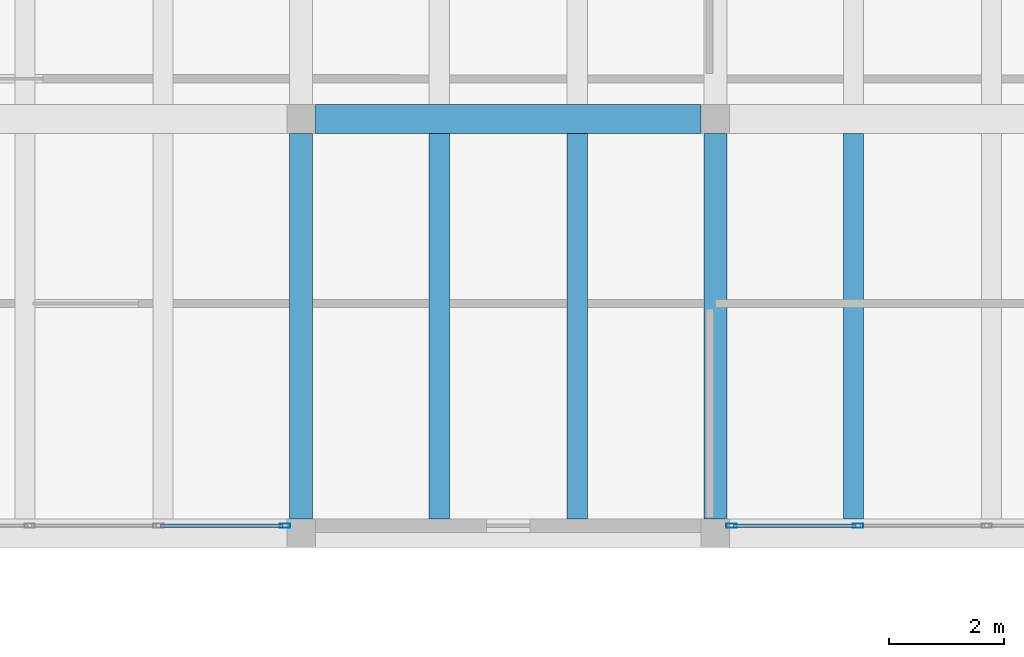
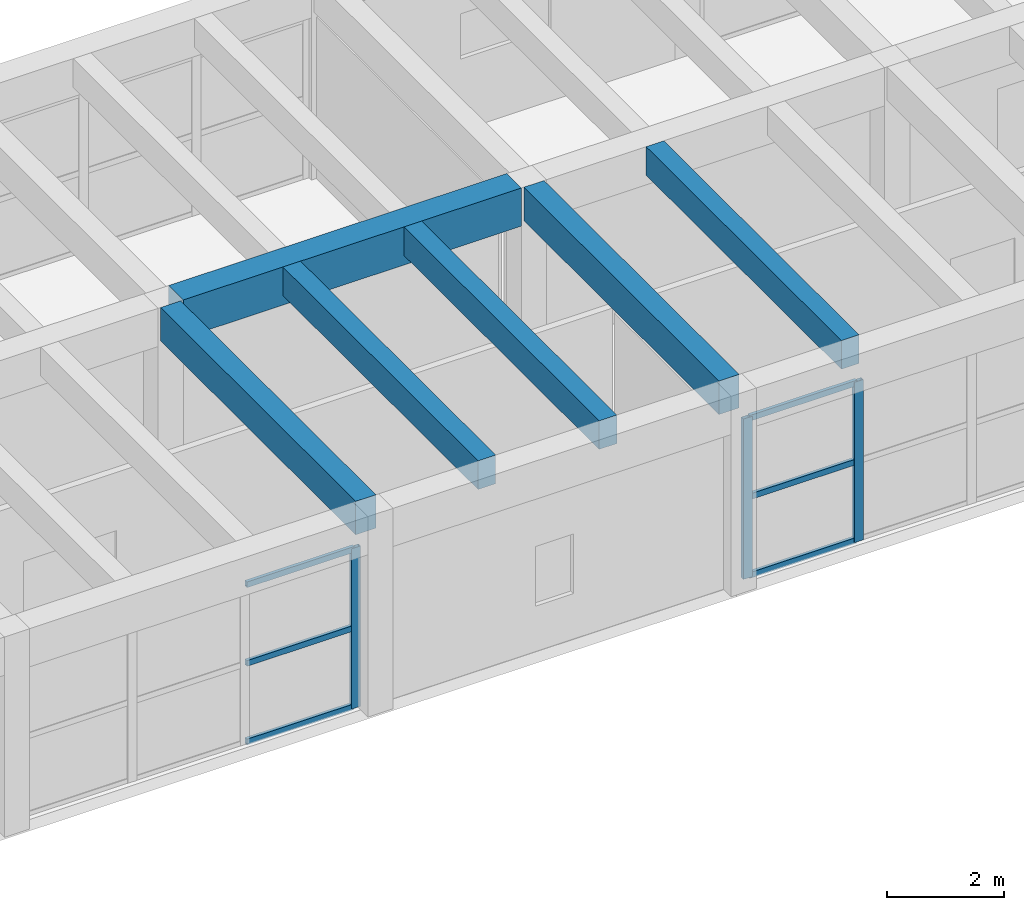
# One storey, part 107 of 153: 9 members, 6 beams, 2 elements without a shape of their own.
"""IFC4 building model written with IfcOpenShell, lengths in metres."""

from ifc_helpers import new_model, si_unit, direction, frame, origin, origin_2d, place, context, subcontext, project, spatial, rectangle, hollow_rectangle, extrude, material, material_profile, profile_set, type_object, element, aggregate, save


model = new_model("IFC4")

# Units and contexts
model_context = context("Model", 3, precision=1e-05, world=origin(), true_north=direction((0.0, 1.0)))
body_context = subcontext(model_context, "Body", "Model", "MODEL_VIEW")
ifc_project = project(units=[si_unit("LENGTHUNIT", "METRE"), si_unit("AREAUNIT", "SQUARE_METRE"), si_unit("VOLUMEUNIT", "CUBIC_METRE"), si_unit("PLANEANGLEUNIT", "RADIAN"), si_unit("MASSUNIT", "GRAM", prefix="KILO")], contexts=[model_context])

# Site, building, storey
site_placement = place(None, origin())
site = spatial("IfcSite", under=ifc_project, at=site_placement, CompositionType="ELEMENT")
building_placement = place(site_placement, origin())
building = spatial("IfcBuilding", under=site, at=building_placement, Name="Bramvelor Terrace Health Centre", CompositionType="ELEMENT")
storey_placement = place(building_placement, frame((0.0, 0.0, 4.800048828125)))
storey = spatial("IfcBuildingStorey", under=building, at=storey_placement, Name="L02", CompositionType="ELEMENT", Elevation=4.800048828125)

# Beams
ifc_material_1 = material(Name="Concrete C40/50", Category="concrete")
ifc_material_profile_1 = material_profile(ifc_material_1, rectangle(XDim=0.39990234375, YDim=0.699951171875, at=origin_2d()), Name="RC 400x700")
ifc_profile_set_1 = profile_set([ifc_material_profile_1], Name="Concrete C40/50")
beam_type_1 = type_object("IfcBeamType", Name="BM-RC-G700", PredefinedType="BEAM", material=ifc_profile_set_1)
for number, where, z_axis, x_axis, name in (
    (1, (129.60009765625, 50.64990234375, 3.849853515625), (0.0, 1.0, 0.0), (-1.0, 0.0, 0.0), "L02 Floor Girder"),
    (2, (136.800048828125, 50.64990234375, 3.849853515625), (0.0, 1.0, 0.0), (-1.0, 0.0, 0.0), "L02 Floor Girder"),
):
    element("IfcBeam", number, at=place(storey_placement, frame(where, z_axis=z_axis, x_axis=x_axis)), inside=storey, type_object=beam_type_1, Name=name, PredefinedType="BEAM", context=body_context, shape_type="SweptSolid", body=[
        extrude(rectangle(XDim=0.39990234375, YDim=0.699951171875, at=origin_2d()), origin(), (0.0, 0.0, 1.0), 6.7001953125),
    ])
ifc_material_2 = material(Name="Concrete C40/50", Category="concrete")
ifc_material_profile_2 = material_profile(ifc_material_2, rectangle(XDim=0.5, YDim=0.800048828125, at=origin_2d()), Name="RC 500x800")
ifc_profile_set_2 = profile_set([ifc_material_profile_2], Name="Concrete C40/50")
beam_type_2 = type_object("IfcBeamType", Name="BM-RC-G800", PredefinedType="BEAM", material=ifc_profile_set_2)
beam_placement = place(storey_placement, frame((129.85009765625, 57.60009765625, 3.800048828125), z_axis=(1.0, 0.0, 0.0), x_axis=(0.0, 1.0, 0.0)))
element("IfcBeam", 3, at=beam_placement, inside=storey, type_object=beam_type_2, Name="L02 Floor Girder", PredefinedType="BEAM", context=body_context, shape_type="SweptSolid", body=[
    extrude(rectangle(XDim=0.5, YDim=0.800048828125, at=origin_2d()), origin(), (0.0, 0.0, 1.0), 6.699951171875),
])
ifc_material_3 = material(Name="Concrete C40/50", Category="concrete")
ifc_material_profile_3 = material_profile(ifc_material_3, rectangle(XDim=0.35009765625, YDim=0.60009765625, at=origin_2d()), Name="RC 350x600")
ifc_profile_set_3 = profile_set([ifc_material_profile_3], Name="Concrete C40/50")
beam_type_3 = type_object("IfcBeamType", Name="BM-RC-J600", PredefinedType="JOIST", material=ifc_profile_set_3)
for number, where, z_axis, x_axis, name in (
    (4, (132.0, 50.64990234375, 3.89990234375), (0.0, 1.0, 0.0), (-1.0, 0.0, 0.0), "L02 Secondary Floor Joist"),
    (5, (134.39990234375, 50.64990234375, 3.89990234375), (0.0, 1.0, 0.0), (-1.0, 0.0, 0.0), "L02 Secondary Floor Joist"),
    (6, (139.199951171875, 50.64990234375, 3.89990234375), (0.0, 1.0, 0.0), (-1.0, 0.0, 0.0), "L02 Secondary Floor Joist"),
):
    element("IfcBeam", number, at=place(storey_placement, frame(where, z_axis=z_axis, x_axis=x_axis)), inside=storey, type_object=beam_type_3, Name=name, PredefinedType="JOIST", context=body_context, shape_type="SweptSolid", body=[
        extrude(rectangle(XDim=0.35009765625, YDim=0.60009765625, at=origin_2d()), origin(), (0.0, 0.0, 1.0), 6.7001953125),
    ])

# Curtain wall, members
ifc_material_4 = material(Name="Anodized aluminium and double low-E glass", Category="aluminium")
curtain_wall_type = type_object("IfcCurtainWallType", Name="CW-SYS-16", PredefinedType="NOTDEFINED", material=ifc_material_4)
curtain_wall_1_placement = place(storey_placement, origin())
curtain_wall_1 = element("IfcCurtainWall", 7, at=curtain_wall_1_placement, inside=storey, type_object=curtain_wall_type, Name="L02 Unitized Curtain Wall 109", PredefinedType="NOTDEFINED")
ifc_material_5 = material(Name="Anodized aluminium 6063-T6", Category="aluminium")
ifc_material_profile_4 = material_profile(ifc_material_5, hollow_rectangle(XDim=0.074951171875, YDim=0.179931640625, WallThickness=0.00341796875, at=origin_2d()), Name="ALU-MUL 75x180x3.5")
ifc_profile_set_4 = profile_set([ifc_material_profile_4], Name="Anodized aluminium 6063-T6")
member_type_1 = type_object("IfcMemberType", Name="CW-MUL-65x180", PredefinedType="MULLION", material=ifc_profile_set_4)
member_1_placement = place(storey_placement, frame((139.28173828125, 50.530029296875, 0.0), z_axis=(0.0, 0.0, 1.0), x_axis=(0.0, -1.0, 0.0)))
member_1 = element("IfcMember", 8, at=member_1_placement, type_object=member_type_1, Name="CW-16 mullion 3", PredefinedType="MULLION", context=body_context, shape_type="SweptSolid", body=[
    extrude(hollow_rectangle(XDim=0.074951171875, YDim=0.179931640625, WallThickness=0.00341796875, at=origin_2d()), origin(), (0.0, 0.0, 1.0), 3.35986328125),
])
member_2_placement = place(storey_placement, frame((137.08251953125, 50.530029296875, 0.0), z_axis=(0.0, 0.0, 1.0), x_axis=(0.0, -1.0, 0.0)))
member_2 = element("IfcMember", 9, at=member_2_placement, type_object=member_type_1, Name="CW-16 mullion 4", PredefinedType="MULLION", context=body_context, shape_type="SweptSolid", body=[
    extrude(hollow_rectangle(XDim=0.074951171875, YDim=0.179931640625, WallThickness=0.00341796875, at=origin_2d()), origin(), (0.0, 0.0, 1.0), 3.35986328125),
])

# Curtain wall, member
curtain_wall_2_placement = place(storey_placement, origin())
curtain_wall_2 = element("IfcCurtainWall", 10, at=curtain_wall_2_placement, inside=storey, type_object=curtain_wall_type, Name="L02 Unitized Curtain Wall 110", PredefinedType="NOTDEFINED")
member_3_placement = place(storey_placement, frame((129.3173828125, 50.530029296875, 0.0), z_axis=(0.0, 0.0, 1.0), x_axis=(0.0, -1.0, 0.0)))
member_3 = element("IfcMember", 11, at=member_3_placement, type_object=member_type_1, Name="CW-16 mullion 1", PredefinedType="MULLION", context=body_context, shape_type="SweptSolid", body=[
    extrude(hollow_rectangle(XDim=0.074951171875, YDim=0.179931640625, WallThickness=0.00341796875, at=origin_2d()), origin(), (0.0, 0.0, 1.0), 3.35986328125),
])

# Member
ifc_material_6 = material(Name="Anodized aluminium 6063-T6", Category="aluminium")
ifc_material_profile_5 = material_profile(ifc_material_6, hollow_rectangle(XDim=0.06494140625, YDim=0.1201171875, WallThickness=0.0029296875, at=origin_2d()), Name="ALU-TRN 65x120x3.0")
ifc_profile_set_5 = profile_set([ifc_material_profile_5], Name="Anodized aluminium 6063-T6")
member_type_2 = type_object("IfcMemberType", Name="CW-TRN-65x150", PredefinedType="USERDEFINED", material=ifc_profile_set_5)
member_4_placement = place(storey_placement, frame((139.244140625, 50.530029296875, 0.032470703125), z_axis=(-1.0, 0.0, 0.0), x_axis=(0.0, -1.0, 0.0)))
member_4 = element("IfcMember", 12, at=member_4_placement, type_object=member_type_2, Name="CW-16 transom 3.1", ObjectType="TRANSOM", PredefinedType="USERDEFINED", context=body_context, shape_type="SweptSolid", body=[
    extrude(hollow_rectangle(XDim=0.06494140625, YDim=0.1201171875, WallThickness=0.0029296875, at=origin_2d()), origin(), (0.0, 0.0, 1.0), 2.1240234375),
])

member_5_placement = place(storey_placement, frame((139.244140625, 50.530029296875, 1.679931640625), z_axis=(-1.0, 0.0, 0.0), x_axis=(0.0, -1.0, 0.0)))
member_5 = element("IfcMember", 13, at=member_5_placement, type_object=member_type_2, Name="CW-16 transom 3.2", ObjectType="TRANSOM", PredefinedType="USERDEFINED", context=body_context, shape_type="SweptSolid", body=[
    extrude(hollow_rectangle(XDim=0.06494140625, YDim=0.1201171875, WallThickness=0.0029296875, at=origin_2d()), origin(), (0.0, 0.0, 1.0), 2.1240234375),
])

member_6_placement = place(storey_placement, frame((139.244140625, 50.530029296875, 3.327392578125), z_axis=(-1.0, 0.0, 0.0), x_axis=(0.0, -1.0, 0.0)))
member_6 = element("IfcMember", 14, at=member_6_placement, type_object=member_type_2, Name="CW-16 transom 3.3", ObjectType="TRANSOM", PredefinedType="USERDEFINED", context=body_context, shape_type="SweptSolid", body=[
    extrude(hollow_rectangle(XDim=0.06494140625, YDim=0.1201171875, WallThickness=0.0029296875, at=origin_2d()), origin(), (0.0, 0.0, 1.0), 2.1240234375),
])

aggregate(curtain_wall_1, [member_1, member_2, member_4, member_5, member_6])

member_7_placement = place(storey_placement, frame((129.280029296875, 50.530029296875, 0.032470703125), z_axis=(-1.0, 0.0, 0.0), x_axis=(0.0, -1.0, 0.0)))
member_7 = element("IfcMember", 15, at=member_7_placement, type_object=member_type_2, Name="CW-16 transom 1.1", ObjectType="TRANSOM", PredefinedType="USERDEFINED", context=body_context, shape_type="SweptSolid", body=[
    extrude(hollow_rectangle(XDim=0.06494140625, YDim=0.1201171875, WallThickness=0.0029296875, at=origin_2d()), origin(), (0.0, 0.0, 1.0), 2.124267578125),
])

member_8_placement = place(storey_placement, frame((129.280029296875, 50.530029296875, 1.679931640625), z_axis=(-1.0, 0.0, 0.0), x_axis=(0.0, -1.0, 0.0)))
member_8 = element("IfcMember", 16, at=member_8_placement, type_object=member_type_2, Name="CW-16 transom 1.2", ObjectType="TRANSOM", PredefinedType="USERDEFINED", context=body_context, shape_type="SweptSolid", body=[
    extrude(hollow_rectangle(XDim=0.06494140625, YDim=0.1201171875, WallThickness=0.0029296875, at=origin_2d()), origin(), (0.0, 0.0, 1.0), 2.124267578125),
])

member_9_placement = place(storey_placement, frame((129.280029296875, 50.530029296875, 3.327392578125), z_axis=(-1.0, 0.0, 0.0), x_axis=(0.0, -1.0, 0.0)))
member_9 = element("IfcMember", 17, at=member_9_placement, type_object=member_type_2, Name="CW-16 transom 1.3", ObjectType="TRANSOM", PredefinedType="USERDEFINED", context=body_context, shape_type="SweptSolid", body=[
    extrude(hollow_rectangle(XDim=0.06494140625, YDim=0.1201171875, WallThickness=0.0029296875, at=origin_2d()), origin(), (0.0, 0.0, 1.0), 2.124267578125),
])

aggregate(curtain_wall_2, [member_3, member_7, member_8, member_9])

save(model, "model.ifc")
